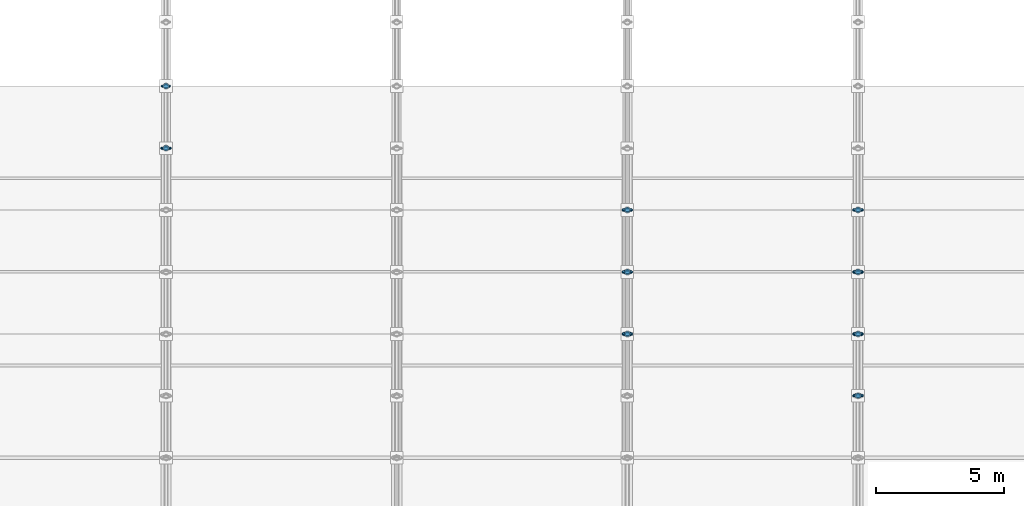
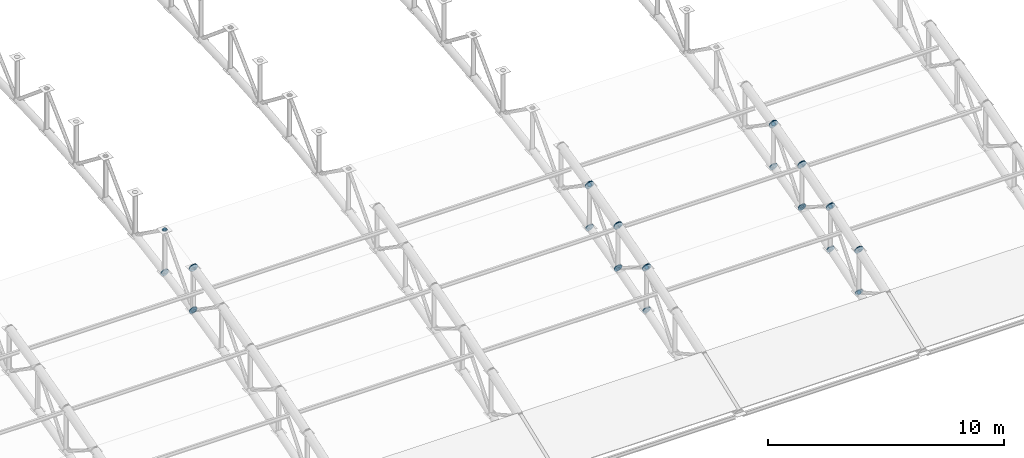
# One storey, part 122 of 195: 67 discrete accessories.
"""IFC4 building model written with IfcOpenShell, lengths in metres."""

from ifc_helpers import new_model, si_unit, direction, frame, origin, origin_2d, place, context, subcontext, project, spatial, circle, extrude, material, element, save


model = new_model("IFC4")

# Units and contexts
model_context = context("Model", 3, precision=1e-05, world=origin(), true_north=direction((0.0, 1.0)))
body_context = subcontext(model_context, "Body", "Model", "MODEL_VIEW")
ifc_project = project(units=[si_unit("LENGTHUNIT", "METRE"), si_unit("AREAUNIT", "SQUARE_METRE"), si_unit("VOLUMEUNIT", "CUBIC_METRE"), si_unit("PLANEANGLEUNIT", "RADIAN"), si_unit("MASSUNIT", "GRAM", prefix="KILO")], contexts=[model_context])

# Site, building, storey
site_placement = place(None, origin())
site = spatial("IfcSite", under=ifc_project, at=site_placement, CompositionType="ELEMENT")
building_placement = place(site_placement, origin())
building = spatial("IfcBuilding", under=site, at=building_placement, Name="Marlcrest Central Station", CompositionType="ELEMENT")
storey_placement = place(building_placement, frame((0.0, 0.0, 9.800048828125)))
storey = spatial("IfcBuildingStorey", under=building, at=storey_placement, Name="L02", CompositionType="ELEMENT", Elevation=9.800048828125)

# Discrete accessories
ifc_material = material(Name="Steel S355", Category="steel")
discrete_accessory_1_placement = place(storey_placement, frame((36.0, 48.5556640625, 5.111328125), z_axis=(0.0, 0.974329612642, 0.225126200004), x_axis=(-1.0, 0.0, 0.0)))
element("IfcDiscreteAccessory", 1, at=discrete_accessory_1_placement, inside=storey, material=ifc_material, Name="endcap-mem-AC-01-L02-00543-e", ObjectType="END_CAP_PLATE", PredefinedType="BRACKET", context=body_context, shape_type="SweptSolid", body=[
    extrude(circle(Radius=0.211181640625, at=origin_2d()), origin(), (0.0, 0.0, 1.0), 0.0400390625),
])
discrete_accessory_2_placement = place(storey_placement, frame((36.0, 48.5556640625, 2.911376953125), z_axis=(0.0, 0.974307959875, 0.225219891049), x_axis=(-1.0, 0.0, 0.0)))
element("IfcDiscreteAccessory", 2, at=discrete_accessory_2_placement, inside=storey, material=ifc_material, Name="endcap-mem-AC-02-L02-00544-e", ObjectType="END_CAP_PLATE", PredefinedType="BRACKET", context=body_context, shape_type="SweptSolid", body=[
    extrude(circle(Radius=0.185791015625, at=origin_2d()), origin(), (0.0, 0.0, 1.0), 0.0400390625),
])
discrete_accessory_3_placement = place(storey_placement, frame((36.0, 48.559326171875, 2.93115234375), z_axis=(0.0, 0.82626275624, -0.563284881432), x_axis=(-1.0, 0.0, 0.0)))
element("IfcDiscreteAccessory", 3, at=discrete_accessory_3_placement, inside=storey, material=ifc_material, Name="endcap-mem-AD-01-L02-00546-e", ObjectType="END_CAP_PLATE", PredefinedType="BRACKET", context=body_context, shape_type="SweptSolid", body=[
    extrude(circle(Radius=0.092041015625, at=origin_2d()), origin(), (0.0, 0.0, 1.0), 0.0400390625),
])
for number, where, z_axis, x_axis, name in (
    (4, (36.0, 48.5654296875, 2.9140625), (0.0, 0.980359417961, 0.197219196874), (-1.0, 0.0, 0.0), "endcap-mem-AC-02-L02-00548-s"),
    (5, (36.0, 50.9755859375, 3.39892578125), (0.0, 0.980359417961, 0.197219196874), (-1.0, 0.0, 0.0), "endcap-mem-AC-02-L02-00548-e"),
):
    element("IfcDiscreteAccessory", number, at=place(storey_placement, frame(where, z_axis=z_axis, x_axis=x_axis)), inside=storey, material=ifc_material, Name=name, ObjectType="END_CAP_PLATE", PredefinedType="BRACKET", context=body_context, shape_type="SweptSolid", body=[
        extrude(circle(Radius=0.185791015625, at=origin_2d()), origin(), (0.0, 0.0, 1.0), 0.0400390625),
    ])
for number, where, z_axis, x_axis, name in (
    (6, (36.0, 48.580078125, 2.902099609375), (0.0, 0.0, 1.0), (1.0, 0.0, 0.0), "endcap-mem-AP-01-L02-00549-s"),
    (7, (36.0, 48.580078125, 5.092041015625), (0.0, 0.0, 1.0), (1.0, 0.0, 0.0), "endcap-mem-AP-01-L02-00549-e"),
):
    element("IfcDiscreteAccessory", number, at=place(storey_placement, frame(where, z_axis=z_axis, x_axis=x_axis)), inside=storey, material=ifc_material, Name=name, ObjectType="END_CAP_PLATE", PredefinedType="BRACKET", context=body_context, shape_type="SweptSolid", body=[
        extrude(circle(Radius=0.117431640625, at=origin_2d()), origin(), (0.0, 0.0, 1.0), 0.0400390625),
    ])
for number, where, z_axis, x_axis, name in (
    (8, (36.0, 48.570068359375, 2.90576171875), (0.0, 0.669244457479, 0.743042297675), (-1.0, 0.0, 0.0), "endcap-mem-AD-01-L02-00550-s"),
    (9, (36.0, 50.983154296875, 5.585205078125), (0.0, 0.669244457479, 0.743042297675), (-1.0, 0.0, 0.0), "endcap-mem-AD-01-L02-00550-e"),
):
    element("IfcDiscreteAccessory", number, at=place(storey_placement, frame(where, z_axis=z_axis, x_axis=x_axis)), inside=storey, material=ifc_material, Name=name, ObjectType="END_CAP_PLATE", PredefinedType="BRACKET", context=body_context, shape_type="SweptSolid", body=[
        extrude(circle(Radius=0.092041015625, at=origin_2d()), origin(), (0.0, 0.0, 1.0), 0.0400390625),
    ])
discrete_accessory_4_placement = place(storey_placement, frame((36.0, 50.985107421875, 3.4013671875), z_axis=(0.0, 0.98574109921, 0.168269086076), x_axis=(-1.0, 0.0, 0.0)))
element("IfcDiscreteAccessory", 10, at=discrete_accessory_4_placement, inside=storey, material=ifc_material, Name="endcap-mem-AC-02-L02-00552-s", ObjectType="END_CAP_PLATE", PredefinedType="BRACKET", context=body_context, shape_type="SweptSolid", body=[
    extrude(circle(Radius=0.185791015625, at=origin_2d()), origin(), (0.0, 0.0, 1.0), 0.0400390625),
])
for number, where, z_axis, x_axis, name in (
    (11, (36.0, 51.0, 3.388916015625), (0.0, 0.0, 1.0), (1.0, 0.0, 0.0), "endcap-mem-AP-01-L02-00553-s"),
    (12, (36.0, 51.0, 5.578857421875), (0.0, 0.0, 1.0), (1.0, 0.0, 0.0), "endcap-mem-AP-01-L02-00553-e"),
):
    element("IfcDiscreteAccessory", number, at=place(storey_placement, frame(where, z_axis=z_axis, x_axis=x_axis)), inside=storey, material=ifc_material, Name=name, ObjectType="END_CAP_PLATE", PredefinedType="BRACKET", context=body_context, shape_type="SweptSolid", body=[
        extrude(circle(Radius=0.117431640625, at=origin_2d()), origin(), (0.0, 0.0, 1.0), 0.0400390625),
    ])
discrete_accessory_5_placement = place(storey_placement, frame((36.0, 50.98779296875, 5.612548828125), z_axis=(0.0, 0.815661132754, -0.57852996164), x_axis=(-1.0, 0.0, 0.0)))
element("IfcDiscreteAccessory", 13, at=discrete_accessory_5_placement, inside=storey, material=ifc_material, Name="endcap-mem-AD-01-L02-00554-s", ObjectType="END_CAP_PLATE", PredefinedType="BRACKET", context=body_context, shape_type="SweptSolid", body=[
    extrude(circle(Radius=0.092041015625, at=origin_2d()), origin(), (0.0, 0.0, 1.0), 0.0400390625),
])
discrete_accessory_6_placement = place(storey_placement, frame((54.0, 41.306396484375, 3.2158203125), z_axis=(0.0, 0.952116828449, 0.305734435391), x_axis=(-1.0, 0.0, 0.0)))
element("IfcDiscreteAccessory", 14, at=discrete_accessory_6_placement, inside=storey, material=ifc_material, Name="endcap-mem-AC-01-L02-00763-e", ObjectType="END_CAP_PLATE", PredefinedType="BRACKET", context=body_context, shape_type="SweptSolid", body=[
    extrude(circle(Radius=0.211181640625, at=origin_2d()), origin(), (0.0, 0.0, 1.0), 0.0400390625),
])
discrete_accessory_7_placement = place(storey_placement, frame((54.0, 41.306396484375, 1.015869140625), z_axis=(0.0, 0.952116828449, 0.305734435391), x_axis=(-1.0, 0.0, 0.0)))
element("IfcDiscreteAccessory", 15, at=discrete_accessory_7_placement, inside=storey, material=ifc_material, Name="endcap-mem-AC-02-L02-00764-e", ObjectType="END_CAP_PLATE", PredefinedType="BRACKET", context=body_context, shape_type="SweptSolid", body=[
    extrude(circle(Radius=0.185791015625, at=origin_2d()), origin(), (0.0, 0.0, 1.0), 0.0400390625),
])
discrete_accessory_8_placement = place(storey_placement, frame((54.0, 41.314453125, 3.203857421875), z_axis=(0.0, 0.62962929743, 0.776895712318), x_axis=(-1.0, 0.0, 0.0)))
element("IfcDiscreteAccessory", 16, at=discrete_accessory_8_placement, inside=storey, material=ifc_material, Name="endcap-mem-AD-01-L02-00766-e", ObjectType="END_CAP_PLATE", PredefinedType="BRACKET", context=body_context, shape_type="SweptSolid", body=[
    extrude(circle(Radius=0.092041015625, at=origin_2d()), origin(), (0.0, 0.0, 1.0), 0.0400390625),
])
for number, where, z_axis, x_axis, name in (
    (17, (54.0, 41.315673828125, 3.21923828125), (0.0, 0.960130083362, 0.27955361386), (-1.0, 0.0, 0.0), "endcap-mem-AC-01-L02-00767-s"),
    (18, (54.0, 43.72607421875, 3.9208984375), (0.0, 0.960130083362, 0.27955361386), (-1.0, 0.0, 0.0), "endcap-mem-AC-01-L02-00767-e"),
):
    element("IfcDiscreteAccessory", number, at=place(storey_placement, frame(where, z_axis=z_axis, x_axis=x_axis)), inside=storey, material=ifc_material, Name=name, ObjectType="END_CAP_PLATE", PredefinedType="BRACKET", context=body_context, shape_type="SweptSolid", body=[
        extrude(circle(Radius=0.211181640625, at=origin_2d()), origin(), (0.0, 0.0, 1.0), 0.0400390625),
    ])
for number, where, z_axis, x_axis, name in (
    (19, (54.0, 41.315673828125, 1.019287109375), (0.0, 0.960130083362, 0.27955361386), (-1.0, 0.0, 0.0), "endcap-mem-AC-02-L02-00768-s"),
    (20, (54.0, 43.72607421875, 1.720947265625), (0.0, 0.960130083362, 0.27955361386), (-1.0, 0.0, 0.0), "endcap-mem-AC-02-L02-00768-e"),
):
    element("IfcDiscreteAccessory", number, at=place(storey_placement, frame(where, z_axis=z_axis, x_axis=x_axis)), inside=storey, material=ifc_material, Name=name, ObjectType="END_CAP_PLATE", PredefinedType="BRACKET", context=body_context, shape_type="SweptSolid", body=[
        extrude(circle(Radius=0.185791015625, at=origin_2d()), origin(), (0.0, 0.0, 1.0), 0.0400390625),
    ])
for number, where, z_axis, x_axis, name in (
    (21, (54.0, 41.330078125, 1.008544921875), (0.0, 0.0, 1.0), (1.0, 0.0, 0.0), "endcap-mem-AP-01-L02-00769-s"),
    (22, (54.0, 41.330078125, 3.198486328125), (0.0, 0.0, 1.0), (1.0, 0.0, 0.0), "endcap-mem-AP-01-L02-00769-e"),
):
    element("IfcDiscreteAccessory", number, at=place(storey_placement, frame(where, z_axis=z_axis, x_axis=x_axis)), inside=storey, material=ifc_material, Name=name, ObjectType="END_CAP_PLATE", PredefinedType="BRACKET", context=body_context, shape_type="SweptSolid", body=[
        extrude(circle(Radius=0.117431640625, at=origin_2d()), origin(), (0.0, 0.0, 1.0), 0.0400390625),
    ])
for number, where, z_axis, x_axis, name in (
    (23, (54.0, 41.3173828125, 3.231201171875), (0.0, 0.850687380038, -0.525671933286), (-1.0, 0.0, 0.0), "endcap-mem-AD-01-L02-00770-s"),
    (24, (54.0, 43.728759765625, 1.7412109375), (0.0, 0.850687380038, -0.525671933286), (-1.0, 0.0, 0.0), "endcap-mem-AD-01-L02-00770-e"),
):
    element("IfcDiscreteAccessory", number, at=place(storey_placement, frame(where, z_axis=z_axis, x_axis=x_axis)), inside=storey, material=ifc_material, Name=name, ObjectType="END_CAP_PLATE", PredefinedType="BRACKET", context=body_context, shape_type="SweptSolid", body=[
        extrude(circle(Radius=0.092041015625, at=origin_2d()), origin(), (0.0, 0.0, 1.0), 0.0400390625),
    ])
for number, where, z_axis, x_axis, name in (
    (25, (54.0, 43.735595703125, 3.924072265625), (0.0, 0.967539481681, 0.252719906989), (-1.0, 0.0, 0.0), "endcap-mem-AC-01-L02-00771-s"),
    (26, (54.0, 46.145751953125, 4.5537109375), (0.0, 0.967539481681, 0.252719906989), (-1.0, 0.0, 0.0), "endcap-mem-AC-01-L02-00771-e"),
):
    element("IfcDiscreteAccessory", number, at=place(storey_placement, frame(where, z_axis=z_axis, x_axis=x_axis)), inside=storey, material=ifc_material, Name=name, ObjectType="END_CAP_PLATE", PredefinedType="BRACKET", context=body_context, shape_type="SweptSolid", body=[
        extrude(circle(Radius=0.211181640625, at=origin_2d()), origin(), (0.0, 0.0, 1.0), 0.0400390625),
    ])
for number, where, z_axis, x_axis, name in (
    (27, (54.0, 43.735595703125, 1.72412109375), (0.0, 0.967563345928, 0.252628524946), (-1.0, 0.0, 0.0), "endcap-mem-AC-02-L02-00772-s"),
    (28, (54.0, 46.145751953125, 2.353515625), (0.0, 0.967563345928, 0.252628524946), (-1.0, 0.0, 0.0), "endcap-mem-AC-02-L02-00772-e"),
):
    element("IfcDiscreteAccessory", number, at=place(storey_placement, frame(where, z_axis=z_axis, x_axis=x_axis)), inside=storey, material=ifc_material, Name=name, ObjectType="END_CAP_PLATE", PredefinedType="BRACKET", context=body_context, shape_type="SweptSolid", body=[
        extrude(circle(Radius=0.185791015625, at=origin_2d()), origin(), (0.0, 0.0, 1.0), 0.0400390625),
    ])
for number, where, z_axis, x_axis, name in (
    (29, (54.0, 43.75, 1.713134765625), (0.0, 0.0, 1.0), (1.0, 0.0, 0.0), "endcap-mem-AP-01-L02-00773-s"),
    (30, (54.0, 43.75, 3.903076171875), (0.0, 0.0, 1.0), (1.0, 0.0, 0.0), "endcap-mem-AP-01-L02-00773-e"),
):
    element("IfcDiscreteAccessory", number, at=place(storey_placement, frame(where, z_axis=z_axis, x_axis=x_axis)), inside=storey, material=ifc_material, Name=name, ObjectType="END_CAP_PLATE", PredefinedType="BRACKET", context=body_context, shape_type="SweptSolid", body=[
        extrude(circle(Radius=0.117431640625, at=origin_2d()), origin(), (0.0, 0.0, 1.0), 0.0400390625),
    ])
for number, where, z_axis, x_axis, name in (
    (31, (54.0, 43.740234375, 1.716552734375), (0.0, 0.649624779144, 0.760254987699), (-1.0, 0.0, 0.0), "endcap-mem-AD-01-L02-00774-s"),
    (32, (54.0, 46.153564453125, 4.541015625), (0.0, 0.649624779144, 0.760254987699), (-1.0, 0.0, 0.0), "endcap-mem-AD-01-L02-00774-e"),
):
    element("IfcDiscreteAccessory", number, at=place(storey_placement, frame(where, z_axis=z_axis, x_axis=x_axis)), inside=storey, material=ifc_material, Name=name, ObjectType="END_CAP_PLATE", PredefinedType="BRACKET", context=body_context, shape_type="SweptSolid", body=[
        extrude(circle(Radius=0.092041015625, at=origin_2d()), origin(), (0.0, 0.0, 1.0), 0.0400390625),
    ])
discrete_accessory_9_placement = place(storey_placement, frame((54.0, 46.1552734375, 4.556640625), z_axis=(0.0, 0.974329612642, 0.225126200004), x_axis=(-1.0, 0.0, 0.0)))
element("IfcDiscreteAccessory", 33, at=discrete_accessory_9_placement, inside=storey, material=ifc_material, Name="endcap-mem-AC-01-L02-00775-s", ObjectType="END_CAP_PLATE", PredefinedType="BRACKET", context=body_context, shape_type="SweptSolid", body=[
    extrude(circle(Radius=0.211181640625, at=origin_2d()), origin(), (0.0, 0.0, 1.0), 0.0400390625),
])
discrete_accessory_10_placement = place(storey_placement, frame((54.0, 46.1552734375, 2.3564453125), z_axis=(0.0, 0.974307959875, 0.225219891049), x_axis=(-1.0, 0.0, 0.0)))
element("IfcDiscreteAccessory", 34, at=discrete_accessory_10_placement, inside=storey, material=ifc_material, Name="endcap-mem-AC-02-L02-00776-s", ObjectType="END_CAP_PLATE", PredefinedType="BRACKET", context=body_context, shape_type="SweptSolid", body=[
    extrude(circle(Radius=0.185791015625, at=origin_2d()), origin(), (0.0, 0.0, 1.0), 0.0400390625),
])
for number, where, z_axis, x_axis, name in (
    (35, (54.0, 46.169921875, 2.344970703125), (0.0, 0.0, 1.0), (1.0, 0.0, 0.0), "endcap-mem-AP-01-L02-00777-s"),
    (36, (54.0, 46.169921875, 4.53515625), (0.0, 0.0, 1.0), (1.0, 0.0, 0.0), "endcap-mem-AP-01-L02-00777-e"),
):
    element("IfcDiscreteAccessory", number, at=place(storey_placement, frame(where, z_axis=z_axis, x_axis=x_axis)), inside=storey, material=ifc_material, Name=name, ObjectType="END_CAP_PLATE", PredefinedType="BRACKET", context=body_context, shape_type="SweptSolid", body=[
        extrude(circle(Radius=0.117431640625, at=origin_2d()), origin(), (0.0, 0.0, 1.0), 0.0400390625),
    ])
for number, where, z_axis, x_axis, name in (
    (37, (54.0, 46.157470703125, 4.568603515625), (0.0, 0.82626275624, -0.563284881432), (-1.0, 0.0, 0.0), "endcap-mem-AD-01-L02-00778-s"),
    (38, (63.0, 38.898193359375, 0.26171875), (0.0, 0.873245653167, -0.487280236851), (-1.0, 0.0, 0.0), "endcap-mem-AD-01-L02-00878-e"),
):
    element("IfcDiscreteAccessory", number, at=place(storey_placement, frame(where, z_axis=z_axis, x_axis=x_axis)), inside=storey, material=ifc_material, Name=name, ObjectType="END_CAP_PLATE", PredefinedType="BRACKET", context=body_context, shape_type="SweptSolid", body=[
        extrude(circle(Radius=0.092041015625, at=origin_2d()), origin(), (0.0, 0.0, 1.0), 0.0400390625),
    ])
for number, where, z_axis, x_axis, name in (
    (39, (63.0, 38.90576171875, 2.44482421875), (0.0, 0.952116828449, 0.305734435391), (-1.0, 0.0, 0.0), "endcap-mem-AC-01-L02-00879-s"),
    (40, (63.0, 41.306396484375, 3.2158203125), (0.0, 0.952116828449, 0.305734435391), (-1.0, 0.0, 0.0), "endcap-mem-AC-01-L02-00879-e"),
):
    element("IfcDiscreteAccessory", number, at=place(storey_placement, frame(where, z_axis=z_axis, x_axis=x_axis)), inside=storey, material=ifc_material, Name=name, ObjectType="END_CAP_PLATE", PredefinedType="BRACKET", context=body_context, shape_type="SweptSolid", body=[
        extrude(circle(Radius=0.211181640625, at=origin_2d()), origin(), (0.0, 0.0, 1.0), 0.0400390625),
    ])
for number, where, z_axis, x_axis, name in (
    (41, (63.0, 38.90576171875, 0.244873046875), (0.0, 0.952116828449, 0.305734435391), (-1.0, 0.0, 0.0), "endcap-mem-AC-02-L02-00880-s"),
    (42, (63.0, 41.306396484375, 1.015869140625), (0.0, 0.952116828449, 0.305734435391), (-1.0, 0.0, 0.0), "endcap-mem-AC-02-L02-00880-e"),
):
    element("IfcDiscreteAccessory", number, at=place(storey_placement, frame(where, z_axis=z_axis, x_axis=x_axis)), inside=storey, material=ifc_material, Name=name, ObjectType="END_CAP_PLATE", PredefinedType="BRACKET", context=body_context, shape_type="SweptSolid", body=[
        extrude(circle(Radius=0.185791015625, at=origin_2d()), origin(), (0.0, 0.0, 1.0), 0.0400390625),
    ])
for number, where, z_axis, x_axis, name in (
    (43, (63.0, 38.919921875, 0.234619140625), (0.0, 0.0, 1.0), (1.0, 0.0, 0.0), "endcap-mem-AP-01-L02-00881-s"),
    (44, (63.0, 38.919921875, 2.424560546875), (0.0, 0.0, 1.0), (1.0, 0.0, 0.0), "endcap-mem-AP-01-L02-00881-e"),
):
    element("IfcDiscreteAccessory", number, at=place(storey_placement, frame(where, z_axis=z_axis, x_axis=x_axis)), inside=storey, material=ifc_material, Name=name, ObjectType="END_CAP_PLATE", PredefinedType="BRACKET", context=body_context, shape_type="SweptSolid", body=[
        extrude(circle(Radius=0.117431640625, at=origin_2d()), origin(), (0.0, 0.0, 1.0), 0.0400390625),
    ])
for number, where, z_axis, x_axis, name in (
    (45, (63.0, 38.910400390625, 0.23779296875), (0.0, 0.62962929743, 0.776895712318), (-1.0, 0.0, 0.0), "endcap-mem-AD-01-L02-00882-s"),
    (46, (63.0, 41.314453125, 3.203857421875), (0.0, 0.62962929743, 0.776895712318), (-1.0, 0.0, 0.0), "endcap-mem-AD-01-L02-00882-e"),
):
    element("IfcDiscreteAccessory", number, at=place(storey_placement, frame(where, z_axis=z_axis, x_axis=x_axis)), inside=storey, material=ifc_material, Name=name, ObjectType="END_CAP_PLATE", PredefinedType="BRACKET", context=body_context, shape_type="SweptSolid", body=[
        extrude(circle(Radius=0.092041015625, at=origin_2d()), origin(), (0.0, 0.0, 1.0), 0.0400390625),
    ])
for number, where, z_axis, x_axis, name in (
    (47, (63.0, 41.315673828125, 3.21923828125), (0.0, 0.960130083362, 0.27955361386), (-1.0, 0.0, 0.0), "endcap-mem-AC-01-L02-00883-s"),
    (48, (63.0, 43.72607421875, 3.9208984375), (0.0, 0.960130083362, 0.27955361386), (-1.0, 0.0, 0.0), "endcap-mem-AC-01-L02-00883-e"),
):
    element("IfcDiscreteAccessory", number, at=place(storey_placement, frame(where, z_axis=z_axis, x_axis=x_axis)), inside=storey, material=ifc_material, Name=name, ObjectType="END_CAP_PLATE", PredefinedType="BRACKET", context=body_context, shape_type="SweptSolid", body=[
        extrude(circle(Radius=0.211181640625, at=origin_2d()), origin(), (0.0, 0.0, 1.0), 0.0400390625),
    ])
for number, where, z_axis, x_axis, name in (
    (49, (63.0, 41.315673828125, 1.019287109375), (0.0, 0.960130083362, 0.27955361386), (-1.0, 0.0, 0.0), "endcap-mem-AC-02-L02-00884-s"),
    (50, (63.0, 43.72607421875, 1.720947265625), (0.0, 0.960130083362, 0.27955361386), (-1.0, 0.0, 0.0), "endcap-mem-AC-02-L02-00884-e"),
):
    element("IfcDiscreteAccessory", number, at=place(storey_placement, frame(where, z_axis=z_axis, x_axis=x_axis)), inside=storey, material=ifc_material, Name=name, ObjectType="END_CAP_PLATE", PredefinedType="BRACKET", context=body_context, shape_type="SweptSolid", body=[
        extrude(circle(Radius=0.185791015625, at=origin_2d()), origin(), (0.0, 0.0, 1.0), 0.0400390625),
    ])
for number, where, z_axis, x_axis, name in (
    (51, (63.0, 41.330078125, 1.008544921875), (0.0, 0.0, 1.0), (1.0, 0.0, 0.0), "endcap-mem-AP-01-L02-00885-s"),
    (52, (63.0, 41.330078125, 3.198486328125), (0.0, 0.0, 1.0), (1.0, 0.0, 0.0), "endcap-mem-AP-01-L02-00885-e"),
):
    element("IfcDiscreteAccessory", number, at=place(storey_placement, frame(where, z_axis=z_axis, x_axis=x_axis)), inside=storey, material=ifc_material, Name=name, ObjectType="END_CAP_PLATE", PredefinedType="BRACKET", context=body_context, shape_type="SweptSolid", body=[
        extrude(circle(Radius=0.117431640625, at=origin_2d()), origin(), (0.0, 0.0, 1.0), 0.0400390625),
    ])
for number, where, z_axis, x_axis, name in (
    (53, (63.0, 41.3173828125, 3.231201171875), (0.0, 0.850687380038, -0.525671933286), (-1.0, 0.0, 0.0), "endcap-mem-AD-01-L02-00886-s"),
    (54, (63.0, 43.728759765625, 1.7412109375), (0.0, 0.850687380038, -0.525671933286), (-1.0, 0.0, 0.0), "endcap-mem-AD-01-L02-00886-e"),
):
    element("IfcDiscreteAccessory", number, at=place(storey_placement, frame(where, z_axis=z_axis, x_axis=x_axis)), inside=storey, material=ifc_material, Name=name, ObjectType="END_CAP_PLATE", PredefinedType="BRACKET", context=body_context, shape_type="SweptSolid", body=[
        extrude(circle(Radius=0.092041015625, at=origin_2d()), origin(), (0.0, 0.0, 1.0), 0.0400390625),
    ])
for number, where, z_axis, x_axis, name in (
    (55, (63.0, 43.735595703125, 3.924072265625), (0.0, 0.967539481681, 0.252719906989), (-1.0, 0.0, 0.0), "endcap-mem-AC-01-L02-00887-s"),
    (56, (63.0, 46.145751953125, 4.5537109375), (0.0, 0.967539481681, 0.252719906989), (-1.0, 0.0, 0.0), "endcap-mem-AC-01-L02-00887-e"),
):
    element("IfcDiscreteAccessory", number, at=place(storey_placement, frame(where, z_axis=z_axis, x_axis=x_axis)), inside=storey, material=ifc_material, Name=name, ObjectType="END_CAP_PLATE", PredefinedType="BRACKET", context=body_context, shape_type="SweptSolid", body=[
        extrude(circle(Radius=0.211181640625, at=origin_2d()), origin(), (0.0, 0.0, 1.0), 0.0400390625),
    ])
for number, where, z_axis, x_axis, name in (
    (57, (63.0, 43.735595703125, 1.72412109375), (0.0, 0.967563345928, 0.252628524946), (-1.0, 0.0, 0.0), "endcap-mem-AC-02-L02-00888-s"),
    (58, (63.0, 46.145751953125, 2.353515625), (0.0, 0.967563345928, 0.252628524946), (-1.0, 0.0, 0.0), "endcap-mem-AC-02-L02-00888-e"),
):
    element("IfcDiscreteAccessory", number, at=place(storey_placement, frame(where, z_axis=z_axis, x_axis=x_axis)), inside=storey, material=ifc_material, Name=name, ObjectType="END_CAP_PLATE", PredefinedType="BRACKET", context=body_context, shape_type="SweptSolid", body=[
        extrude(circle(Radius=0.185791015625, at=origin_2d()), origin(), (0.0, 0.0, 1.0), 0.0400390625),
    ])
for number, where, z_axis, x_axis, name in (
    (59, (63.0, 43.75, 1.713134765625), (0.0, 0.0, 1.0), (1.0, 0.0, 0.0), "endcap-mem-AP-01-L02-00889-s"),
    (60, (63.0, 43.75, 3.903076171875), (0.0, 0.0, 1.0), (1.0, 0.0, 0.0), "endcap-mem-AP-01-L02-00889-e"),
):
    element("IfcDiscreteAccessory", number, at=place(storey_placement, frame(where, z_axis=z_axis, x_axis=x_axis)), inside=storey, material=ifc_material, Name=name, ObjectType="END_CAP_PLATE", PredefinedType="BRACKET", context=body_context, shape_type="SweptSolid", body=[
        extrude(circle(Radius=0.117431640625, at=origin_2d()), origin(), (0.0, 0.0, 1.0), 0.0400390625),
    ])
for number, where, z_axis, x_axis, name in (
    (61, (63.0, 43.740234375, 1.716552734375), (0.0, 0.649624779144, 0.760254987699), (-1.0, 0.0, 0.0), "endcap-mem-AD-01-L02-00890-s"),
    (62, (63.0, 46.153564453125, 4.541015625), (0.0, 0.649624779144, 0.760254987699), (-1.0, 0.0, 0.0), "endcap-mem-AD-01-L02-00890-e"),
):
    element("IfcDiscreteAccessory", number, at=place(storey_placement, frame(where, z_axis=z_axis, x_axis=x_axis)), inside=storey, material=ifc_material, Name=name, ObjectType="END_CAP_PLATE", PredefinedType="BRACKET", context=body_context, shape_type="SweptSolid", body=[
        extrude(circle(Radius=0.092041015625, at=origin_2d()), origin(), (0.0, 0.0, 1.0), 0.0400390625),
    ])
discrete_accessory_11_placement = place(storey_placement, frame((63.0, 46.1552734375, 4.556640625), z_axis=(0.0, 0.974329612642, 0.225126200004), x_axis=(-1.0, 0.0, 0.0)))
element("IfcDiscreteAccessory", 63, at=discrete_accessory_11_placement, inside=storey, material=ifc_material, Name="endcap-mem-AC-01-L02-00891-s", ObjectType="END_CAP_PLATE", PredefinedType="BRACKET", context=body_context, shape_type="SweptSolid", body=[
    extrude(circle(Radius=0.211181640625, at=origin_2d()), origin(), (0.0, 0.0, 1.0), 0.0400390625),
])
discrete_accessory_12_placement = place(storey_placement, frame((63.0, 46.1552734375, 2.3564453125), z_axis=(0.0, 0.974307959875, 0.225219891049), x_axis=(-1.0, 0.0, 0.0)))
element("IfcDiscreteAccessory", 64, at=discrete_accessory_12_placement, inside=storey, material=ifc_material, Name="endcap-mem-AC-02-L02-00892-s", ObjectType="END_CAP_PLATE", PredefinedType="BRACKET", context=body_context, shape_type="SweptSolid", body=[
    extrude(circle(Radius=0.185791015625, at=origin_2d()), origin(), (0.0, 0.0, 1.0), 0.0400390625),
])
for number, where, z_axis, x_axis, name in (
    (65, (63.0, 46.169921875, 2.344970703125), (0.0, 0.0, 1.0), (1.0, 0.0, 0.0), "endcap-mem-AP-01-L02-00893-s"),
    (66, (63.0, 46.169921875, 4.53515625), (0.0, 0.0, 1.0), (1.0, 0.0, 0.0), "endcap-mem-AP-01-L02-00893-e"),
):
    element("IfcDiscreteAccessory", number, at=place(storey_placement, frame(where, z_axis=z_axis, x_axis=x_axis)), inside=storey, material=ifc_material, Name=name, ObjectType="END_CAP_PLATE", PredefinedType="BRACKET", context=body_context, shape_type="SweptSolid", body=[
        extrude(circle(Radius=0.117431640625, at=origin_2d()), origin(), (0.0, 0.0, 1.0), 0.0400390625),
    ])
discrete_accessory_13_placement = place(storey_placement, frame((63.0, 46.157470703125, 4.568603515625), z_axis=(0.0, 0.82626275624, -0.563284881432), x_axis=(-1.0, 0.0, 0.0)))
element("IfcDiscreteAccessory", 67, at=discrete_accessory_13_placement, inside=storey, material=ifc_material, Name="endcap-mem-AD-01-L02-00894-s", ObjectType="END_CAP_PLATE", PredefinedType="BRACKET", context=body_context, shape_type="SweptSolid", body=[
    extrude(circle(Radius=0.092041015625, at=origin_2d()), origin(), (0.0, 0.0, 1.0), 0.0400390625),
])

save(model, "model.ifc")
